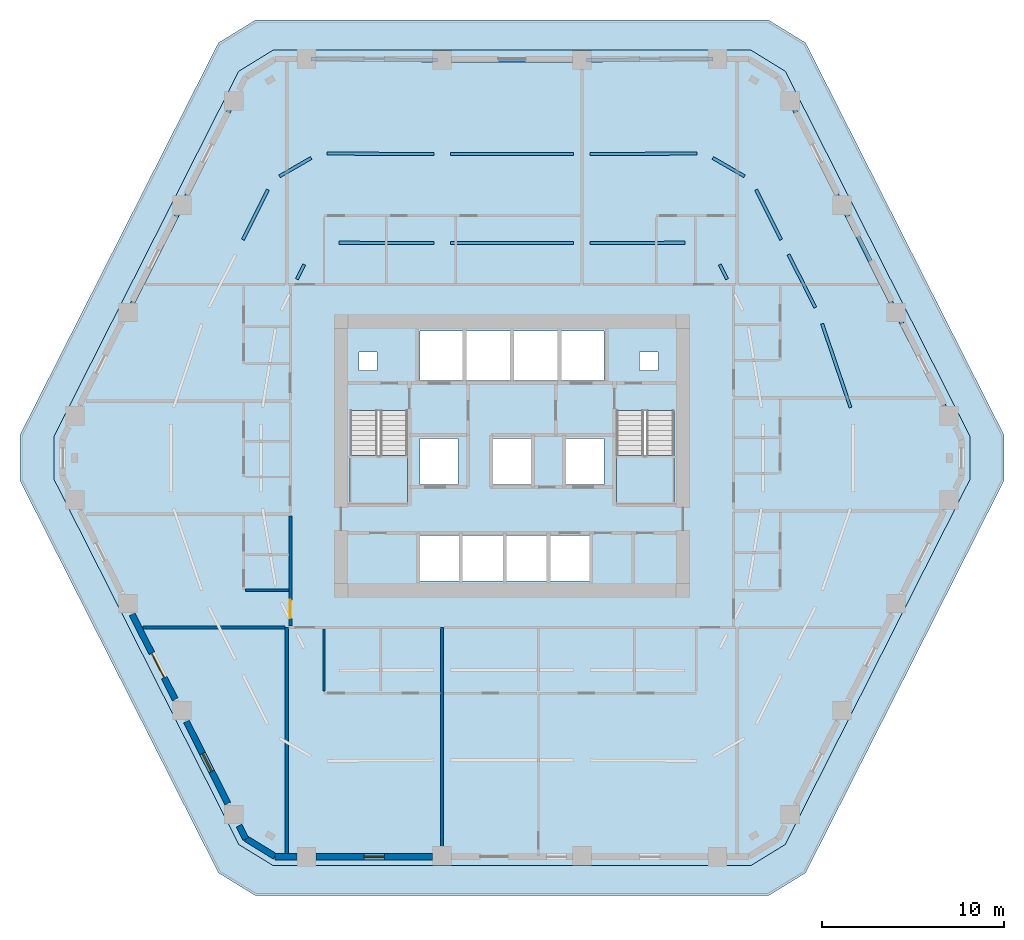
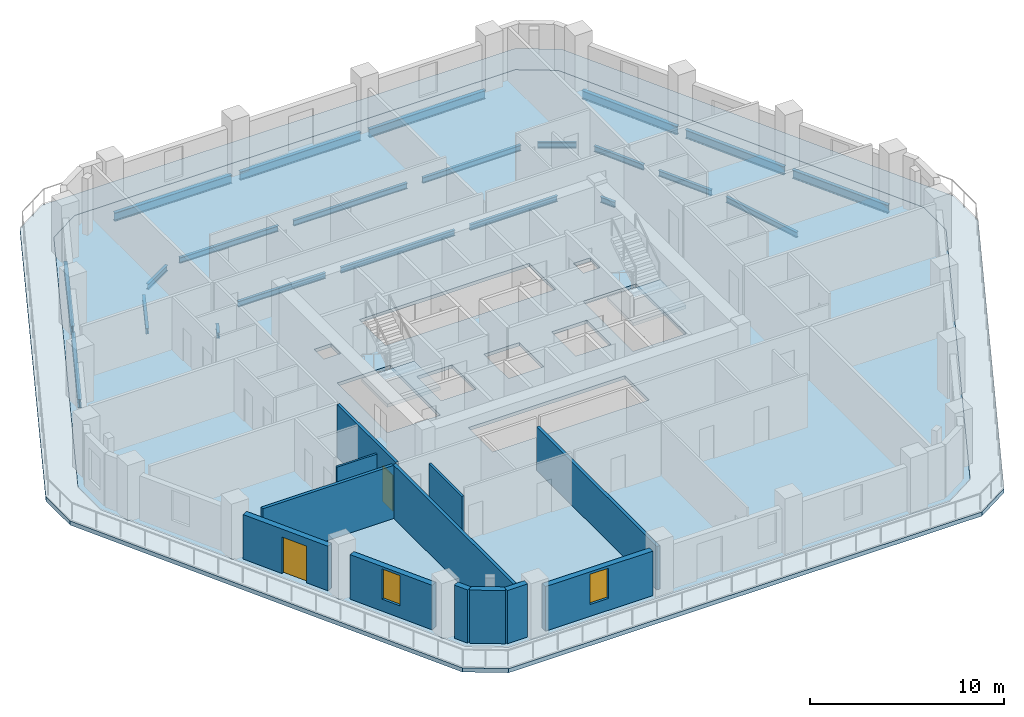
# One storey, part 2 of 10: 22 beams, 12 walls, 4 slabs, 2 doors, 2 windows, 4 openings, 2 elements without a shape of their own.
"""IFC4 building model written with IfcOpenShell, lengths in metres."""

from ifc_helpers import new_model, si_unit, direction, frame, frame_2d, origin, origin_2d, place, context, subcontext, project, spatial, polyline, rectangle, i_section, outline, extrude, material, layer, layer_set, material_profile, profile_set, type_object, element, fill, aggregate, save


model = new_model("IFC4")

# Units and contexts
model_context = context("Model", 3, precision=1e-05, world=origin(), true_north=direction((0.0, 1.0)))
body_context = subcontext(model_context, "Body", "Model", "MODEL_VIEW")
ifc_project = project(units=[si_unit("LENGTHUNIT", "METRE"), si_unit("AREAUNIT", "SQUARE_METRE"), si_unit("VOLUMEUNIT", "CUBIC_METRE"), si_unit("PLANEANGLEUNIT", "RADIAN"), si_unit("MASSUNIT", "GRAM", prefix="KILO")], contexts=[model_context])

# Site, building, storey
site_placement = place(None, origin())
site = spatial("IfcSite", under=ifc_project, at=site_placement, CompositionType="ELEMENT")
building_placement = place(site_placement, origin())
building = spatial("IfcBuilding", under=site, at=building_placement, Name="Cinnabar Lancet Tower", CompositionType="ELEMENT")
storey_placement = place(building_placement, frame((0.0, 0.0, 98.39990234375)))
storey = spatial("IfcBuildingStorey", under=building, at=storey_placement, Name="L25", CompositionType="ELEMENT", Elevation=98.39990234375)

# Beams
ifc_material_1 = material(Name="Structural steel S355", Category="steel")
ifc_material_profile_1 = material_profile(ifc_material_1, i_section(OverallWidth=0.17138671875, OverallDepth=0.35498046875, WebThickness=0.00732421875, FlangeThickness=0.011474609375, FilletRadius=0.01025390625, at=origin_2d()), Name="UKB 356x171x51")
ifc_profile_set_1 = profile_set([ifc_material_profile_1], Name="Structural steel S355")
beam_type_1 = type_object("IfcBeamType", Name="STR-BM-JST-356", PredefinedType="JOIST", material=ifc_profile_set_1)
beam_1_placement = place(storey_placement, frame((50.955078125, 28.55908203125, -0.386962890625), z_axis=(-0.320890801538, 0.947116198514, 0.0), x_axis=(-0.947116198514, -0.320890801538, 0.0)))
element("IfcBeam", 1, at=beam_1_placement, inside=storey, type_object=beam_type_1, Name="L25 Secondary Floor Joist 23", PredefinedType="JOIST", context=body_context, shape_type="SweptSolid", body=[
    extrude(i_section(OverallWidth=0.17138671875, OverallDepth=0.35498046875, WebThickness=0.00732421875, FlangeThickness=0.011474609375, FilletRadius=0.01025390625, at=origin_2d()), origin(), (0.0, 0.0, 1.0), 4.849365234375),
])
beam_2_placement = place(storey_placement, frame((49.02587890625, 34.037109375, -0.386962890625), z_axis=(-0.45059811801, 0.892726910116, 0.0), x_axis=(-0.892726910116, -0.45059811801, 0.0)))
element("IfcBeam", 2, at=beam_2_placement, inside=storey, type_object=beam_type_1, Name="L25 Secondary Floor Joist 25", PredefinedType="JOIST", context=body_context, shape_type="SweptSolid", body=[
    extrude(i_section(OverallWidth=0.17138671875, OverallDepth=0.35498046875, WebThickness=0.00732421875, FlangeThickness=0.011474609375, FilletRadius=0.01025390625, at=origin_2d()), origin(), (0.0, 0.0, 1.0), 3.25732421875),
])
beam_3_placement = place(storey_placement, frame((47.14892578125, 37.760986328125, -0.386962890625), z_axis=(-0.445583255103, 0.895240505547, 0.0), x_axis=(-0.895240505547, -0.445583255103, 0.0)))
element("IfcBeam", 3, at=beam_3_placement, inside=storey, type_object=beam_type_1, Name="L25 Secondary Floor Joist 27", PredefinedType="JOIST", context=body_context, shape_type="SweptSolid", body=[
    extrude(i_section(OverallWidth=0.17138671875, OverallDepth=0.35498046875, WebThickness=0.00732421875, FlangeThickness=0.011474609375, FilletRadius=0.01025390625, at=origin_2d()), origin(), (0.0, 0.0, 1.0), 3.05615234375),
])
beam_4_placement = place(storey_placement, frame((44.18603515625, 35.594970703125, -0.386962890625), z_axis=(-0.445893571745, 0.895085986191, 0.0), x_axis=(-0.895085986191, -0.445893571745, 0.0)))
element("IfcBeam", 4, at=beam_4_placement, inside=storey, type_object=beam_type_1, Name="L25 Secondary Floor Joist 28", PredefinedType="JOIST", context=body_context, shape_type="SweptSolid", body=[
    extrude(i_section(OverallWidth=0.17138671875, OverallDepth=0.35498046875, WebThickness=0.00732421875, FlangeThickness=0.011474609375, FilletRadius=0.01025390625, at=origin_2d()), origin(), (0.0, 0.0, 1.0), 0.88818359375),
])
beam_5_placement = place(storey_placement, frame((45.14404296875, 41.23193359375, -0.386962890625), z_axis=(-0.865087181672, 0.501621538718, 0.0), x_axis=(-0.501621538718, -0.865087181672, 0.0)))
element("IfcBeam", 5, at=beam_5_placement, inside=storey, type_object=beam_type_1, Name="L25 Secondary Floor Joist 29", PredefinedType="JOIST", context=body_context, shape_type="SweptSolid", body=[
    extrude(i_section(OverallWidth=0.17138671875, OverallDepth=0.35498046875, WebThickness=0.00732421875, FlangeThickness=0.011474609375, FilletRadius=0.01025390625, at=origin_2d()), origin(), (0.0, 0.0, 1.0), 2.005615234375),
])
beam_6_placement = place(storey_placement, frame((42.532958984375, 42.47998046875, -0.386962890625), z_axis=(-0.999986830159, -0.005132203126, 0.0), x_axis=(0.005132203126, -0.999986830159, 0.0)))
element("IfcBeam", 6, at=beam_6_placement, inside=storey, type_object=beam_type_1, Name="L25 Secondary Floor Joist 30", PredefinedType="JOIST", context=body_context, shape_type="SweptSolid", body=[
    extrude(i_section(OverallWidth=0.17138671875, OverallDepth=0.35498046875, WebThickness=0.00732421875, FlangeThickness=0.011474609375, FilletRadius=0.01025390625, at=origin_2d()), origin(), (0.0, 0.0, 1.0), 5.85107421875),
])
beam_7_placement = place(storey_placement, frame((41.888916015625, 37.590087890625, -0.386962890625), z_axis=(-0.999996302371, -0.002719419802, 0.0), x_axis=(0.002719419802, -0.999996302371, 0.0)))
element("IfcBeam", 7, at=beam_7_placement, inside=storey, type_object=beam_type_1, Name="L25 Secondary Floor Joist 31", PredefinedType="JOIST", context=body_context, shape_type="SweptSolid", body=[
    extrude(i_section(OverallWidth=0.17138671875, OverallDepth=0.35498046875, WebThickness=0.00732421875, FlangeThickness=0.011474609375, FilletRadius=0.01025390625, at=origin_2d()), origin(), (0.0, 0.0, 1.0), 5.20703125),
])
for number, where, z_axis, x_axis, name in (
    (8, (35.781982421875, 42.447998046875, -0.386962890625), (-1.0, 0.0, 0.0), (0.0, -1.0, 0.0), "L25 Secondary Floor Joist 32"),
    (9, (35.781982421875, 37.574951171875, -0.386962890625), (-1.0, 0.0, 0.0), (0.0, -1.0, 0.0), "L25 Secondary Floor Joist 33"),
):
    element("IfcBeam", number, at=place(storey_placement, frame(where, z_axis=z_axis, x_axis=x_axis)), inside=storey, type_object=beam_type_1, Name=name, PredefinedType="JOIST", context=body_context, shape_type="SweptSolid", body=[
        extrude(i_section(OverallWidth=0.17138671875, OverallDepth=0.35498046875, WebThickness=0.00732421875, FlangeThickness=0.011474609375, FilletRadius=0.01025390625, at=origin_2d()), origin(), (0.0, 0.0, 1.0), 6.763916015625),
    ])
beam_8_placement = place(storey_placement, frame((28.117919921875, 42.449951171875, -0.386962890625), z_axis=(-0.99998682906, 0.005132417274, 0.0), x_axis=(-0.005132417274, -0.99998682906, 0.0)))
element("IfcBeam", 10, at=beam_8_placement, inside=storey, type_object=beam_type_1, Name="L25 Secondary Floor Joist 34", PredefinedType="JOIST", context=body_context, shape_type="SweptSolid", body=[
    extrude(i_section(OverallWidth=0.17138671875, OverallDepth=0.35498046875, WebThickness=0.00732421875, FlangeThickness=0.011474609375, FilletRadius=0.01025390625, at=origin_2d()), origin(), (0.0, 0.0, 1.0), 5.850830078125),
])
beam_9_placement = place(storey_placement, frame((28.117919921875, 37.575927734375, -0.386962890625), z_axis=(-0.999996302371, 0.002719419802, 0.0), x_axis=(-0.002719419802, -0.999996302371, 0.0)))
element("IfcBeam", 11, at=beam_9_placement, inside=storey, type_object=beam_type_1, Name="L25 Secondary Floor Joist 35", PredefinedType="JOIST", context=body_context, shape_type="SweptSolid", body=[
    extrude(i_section(OverallWidth=0.17138671875, OverallDepth=0.35498046875, WebThickness=0.00732421875, FlangeThickness=0.011474609375, FilletRadius=0.01025390625, at=origin_2d()), origin(), (0.0, 0.0, 1.0), 5.20703125),
])
beam_10_placement = place(storey_placement, frame((21.39111328125, 42.238037109375, -0.386962890625), z_axis=(-0.865087181672, -0.501621538718, 0.0), x_axis=(0.501621538718, -0.865087181672, 0.0)))
element("IfcBeam", 12, at=beam_10_placement, inside=storey, type_object=beam_type_1, Name="L25 Secondary Floor Joist 36", PredefinedType="JOIST", context=body_context, shape_type="SweptSolid", body=[
    extrude(i_section(OverallWidth=0.17138671875, OverallDepth=0.35498046875, WebThickness=0.00732421875, FlangeThickness=0.011474609375, FilletRadius=0.01025390625, at=origin_2d()), origin(), (0.0, 0.0, 1.0), 2.005615234375),
])
beam_11_placement = place(storey_placement, frame((19.012939453125, 40.4970703125, -0.386962890625), z_axis=(-0.445647273768, -0.895208639024, 0.0), x_axis=(0.895208639024, -0.445647273768, 0.0)))
element("IfcBeam", 13, at=beam_11_placement, inside=storey, type_object=beam_type_1, Name="L25 Secondary Floor Joist 37", PredefinedType="JOIST", context=body_context, shape_type="SweptSolid", body=[
    extrude(i_section(OverallWidth=0.17138671875, OverallDepth=0.35498046875, WebThickness=0.00732421875, FlangeThickness=0.011474609375, FilletRadius=0.01025390625, at=origin_2d()), origin(), (0.0, 0.0, 1.0), 3.056396484375),
])
beam_12_placement = place(storey_placement, frame((21.010009765625, 36.389892578125, -0.386962890625), z_axis=(-0.445893571745, -0.895085986191, 0.0), x_axis=(0.895085986191, -0.445893571745, 0.0)))
element("IfcBeam", 14, at=beam_12_placement, inside=storey, type_object=beam_type_1, Name="L25 Secondary Floor Joist 38", PredefinedType="JOIST", context=body_context, shape_type="SweptSolid", body=[
    extrude(i_section(OverallWidth=0.17138671875, OverallDepth=0.35498046875, WebThickness=0.00732421875, FlangeThickness=0.011474609375, FilletRadius=0.01025390625, at=origin_2d()), origin(), (0.0, 0.0, 1.0), 0.88818359375),
])
ifc_material_2 = material(Name="Structural steel S355", Category="steel")
ifc_material_profile_2 = material_profile(ifc_material_2, i_section(OverallWidth=0.209228515625, OverallDepth=0.533203125, WebThickness=0.010009765625, FlangeThickness=0.015625, FilletRadius=0.0126953125, at=origin_2d()), Name="UKB 533x210x92")
ifc_profile_set_2 = profile_set([ifc_material_profile_2], Name="Structural steel S355")
beam_type_2 = type_object("IfcBeamType", Name="STR-BM-SPN-533", PredefinedType="SPANDREL", material=ifc_profile_set_2)
beam_13_placement = place(storey_placement, frame((56.242919921875, 28.3310546875, -0.476806640625), z_axis=(-0.456126618405, 0.889914888055, 0.0), x_axis=(-0.889914888055, -0.456126618405, 0.0)))
element("IfcBeam", 15, at=beam_13_placement, inside=storey, type_object=beam_type_2, Name="L25 Perimeter Spandrel 9", PredefinedType="SPANDREL", context=body_context, shape_type="SweptSolid", body=[
    extrude(i_section(OverallWidth=0.209228515625, OverallDepth=0.533203125, WebThickness=0.010009765625, FlangeThickness=0.015625, FilletRadius=0.0126953125, at=origin_2d()), origin(), (0.0, 0.0, 1.0), 5.868896484375),
])
beam_14_placement = place(storey_placement, frame((53.339111328125, 33.9990234375, -0.476806640625), z_axis=(-0.450570325924, 0.892740937449, 0.0), x_axis=(-0.892740937449, -0.450570325924, 0.0)))
element("IfcBeam", 16, at=beam_14_placement, inside=storey, type_object=beam_type_2, Name="L25 Perimeter Spandrel 10", PredefinedType="SPANDREL", context=body_context, shape_type="SweptSolid", body=[
    extrude(i_section(OverallWidth=0.209228515625, OverallDepth=0.533203125, WebThickness=0.010009765625, FlangeThickness=0.015625, FilletRadius=0.0126953125, at=origin_2d()), origin(), (0.0, 0.0, 1.0), 6.07470703125),
])
beam_15_placement = place(storey_placement, frame((50.3779296875, 39.868896484375, -0.476806640625), z_axis=(-0.445501068635, 0.89528140707, 0.0), x_axis=(-0.89528140707, -0.445501068635, 0.0)))
element("IfcBeam", 17, at=beam_15_placement, inside=storey, type_object=beam_type_2, Name="L25 Perimeter Spandrel 11", PredefinedType="SPANDREL", context=body_context, shape_type="SweptSolid", body=[
    extrude(i_section(OverallWidth=0.209228515625, OverallDepth=0.533203125, WebThickness=0.010009765625, FlangeThickness=0.015625, FilletRadius=0.0126953125, at=origin_2d()), origin(), (0.0, 0.0, 1.0), 5.87646484375),
])
beam_16_placement = place(storey_placement, frame((43.4189453125, 47.658935546875, -0.476806640625), z_axis=(-0.999975228682, -0.007038609338, 0.0), x_axis=(0.007038609338, -0.999975228682, 0.0)))
element("IfcBeam", 18, at=beam_16_placement, inside=storey, type_object=beam_type_2, Name="L25 Perimeter Spandrel 13", PredefinedType="SPANDREL", context=body_context, shape_type="SweptSolid", body=[
    extrude(i_section(OverallWidth=0.209228515625, OverallDepth=0.533203125, WebThickness=0.010009765625, FlangeThickness=0.015625, FilletRadius=0.0126953125, at=origin_2d()), origin(), (0.0, 0.0, 1.0), 6.937255859375),
])
beam_17_placement = place(storey_placement, frame((35.98193359375, 47.60791015625, -0.476806640625), z_axis=(-1.0, 0.0, 0.0), x_axis=(0.0, -1.0, 0.0)))
element("IfcBeam", 19, at=beam_17_placement, inside=storey, type_object=beam_type_2, Name="L25 Perimeter Spandrel 14", PredefinedType="SPANDREL", context=body_context, shape_type="SweptSolid", body=[
    extrude(i_section(OverallWidth=0.209228515625, OverallDepth=0.533203125, WebThickness=0.010009765625, FlangeThickness=0.015625, FilletRadius=0.0126953125, at=origin_2d()), origin(), (0.0, 0.0, 1.0), 7.163818359375),
])
beam_18_placement = place(storey_placement, frame((28.318115234375, 47.610107421875, -0.476806640625), z_axis=(-0.999975228682, 0.007038609338, 0.0), x_axis=(-0.007038609338, -0.999975228682, 0.0)))
element("IfcBeam", 20, at=beam_18_placement, inside=storey, type_object=beam_type_2, Name="L25 Perimeter Spandrel 15", PredefinedType="SPANDREL", context=body_context, shape_type="SweptSolid", body=[
    extrude(i_section(OverallWidth=0.209228515625, OverallDepth=0.533203125, WebThickness=0.010009765625, FlangeThickness=0.015625, FilletRadius=0.0126953125, at=origin_2d()), origin(), (0.0, 0.0, 1.0), 6.937255859375),
])
beam_19_placement = place(storey_placement, frame((17.0400390625, 45.1298828125, -0.476806640625), z_axis=(-0.445501068635, -0.89528140707, 0.0), x_axis=(0.89528140707, -0.445501068635, 0.0)))
element("IfcBeam", 21, at=beam_19_placement, inside=storey, type_object=beam_type_2, Name="L25 Perimeter Spandrel 17", PredefinedType="SPANDREL", context=body_context, shape_type="SweptSolid", body=[
    extrude(i_section(OverallWidth=0.209228515625, OverallDepth=0.533203125, WebThickness=0.010009765625, FlangeThickness=0.015625, FilletRadius=0.0126953125, at=origin_2d()), origin(), (0.0, 0.0, 1.0), 5.87646484375),
])
beam_20_placement = place(storey_placement, frame((14.197998046875, 39.422119140625, -0.476806640625), z_axis=(-0.450570325924, -0.892740937449, 0.0), x_axis=(0.892740937449, -0.450570325924, 0.0)))
element("IfcBeam", 22, at=beam_20_placement, inside=storey, type_object=beam_type_2, Name="L25 Perimeter Spandrel 18", PredefinedType="SPANDREL", context=body_context, shape_type="SweptSolid", body=[
    extrude(i_section(OverallWidth=0.209228515625, OverallDepth=0.533203125, WebThickness=0.010009765625, FlangeThickness=0.015625, FilletRadius=0.0126953125, at=origin_2d()), origin(), (0.0, 0.0, 1.0), 6.07470703125),
])

# Stair, slab
ifc_material_3 = material(Name="Concrete C40/50", Category="concrete")
stair_type = type_object("IfcStairType", Name="ST-CORE", PredefinedType="HALF_TURN_STAIR", material=ifc_material_3)
stair_1_placement = place(storey_placement, origin())
stair_1 = element("IfcStair", 23, at=stair_1_placement, inside=storey, type_object=stair_type, Name="L25 ST-1", PredefinedType="HALF_TURN_STAIR")
ifc_material_4 = material(Name="Concrete C40/50", Category="concrete")
ifc_layer_1 = layer(ifc_material_4, 0.199951171875)
ifc_layer_set_1 = layer_set([ifc_layer_1], Name="Concrete C40/50")
slab_type_1 = type_object("IfcSlabType", Name="LANDING-CORE", PredefinedType="LANDING", material=ifc_layer_set_1)
slab_1_placement = place(storey_placement, frame((0.0, 0.0, 1.5751953125)))
slab_1 = element("IfcSlab", 24, at=slab_1_placement, type_object=slab_type_1, Name="ST-1 landing 1", PredefinedType="LANDING", context=body_context, shape_type="SweptSolid", body=[
    extrude(outline(polyline([(23.52490234375, 25.925048828125), (23.52490234375, 23.25), (26.675048828125, 23.25), (26.675048828125, 25.925048828125), (23.52490234375, 25.925048828125)])), origin(), (0.0, 0.0, 1.0), 0.199951171875),
])
aggregate(stair_1, [slab_1])

stair_2_placement = place(storey_placement, origin())
stair_2 = element("IfcStair", 25, at=stair_2_placement, inside=storey, type_object=stair_type, Name="L25 ST-2", PredefinedType="HALF_TURN_STAIR")
slab_2_placement = place(storey_placement, frame((0.0, 0.0, 1.5751953125)))
slab_2 = element("IfcSlab", 26, at=slab_2_placement, type_object=slab_type_1, Name="ST-2 landing 1", PredefinedType="LANDING", context=body_context, shape_type="SweptSolid", body=[
    extrude(outline(polyline([(38.125, 25.925048828125), (38.125, 23.25), (41.27490234375, 23.25), (41.27490234375, 25.925048828125), (38.125, 25.925048828125)])), origin(), (0.0, 0.0, 1.0), 0.199951171875),
])
aggregate(stair_2, [slab_2])

# Slabs
ifc_material_5 = material(Name="Concrete C40/50", Category="concrete")
ifc_layer_2 = layer(ifc_material_5, 0.2099609375)
ifc_layer_set_2 = layer_set([ifc_layer_2], Name="Concrete C40/50")
slab_type_2 = type_object("IfcSlabType", Name="STR-SLB-FLR-210", PredefinedType="FLOOR", material=ifc_layer_set_2)
slab_3_placement = place(storey_placement, frame((0.0, 0.0, -0.2099609375)))
element("IfcSlab", 27, at=slab_3_placement, inside=storey, type_object=slab_type_2, Name="L25 Structural Floor Slab", PredefinedType="FLOOR", context=body_context, shape_type="SweptSolid", body=[
    extrude(outline(polyline([(17.4208984375, 4.610107421875), (19.30810546875, 3.449951171875), (45.491943359375, 3.449951171875), (47.37890625, 4.610107421875), (57.512939453125, 24.639892578125), (57.512939453125, 26.9599609375), (47.37890625, 46.989990234375), (45.491943359375, 48.14990234375), (19.30810546875, 48.14990234375), (17.4208984375, 46.989990234375), (7.287109375, 26.9599609375), (7.287109375, 24.639892578125), (17.4208984375, 4.610107421875)]), holes=[polyline([(23.52490234375, 23.25), (26.675048828125, 23.25), (26.675048828125, 28.3994140625), (23.52490234375, 28.3994140625), (23.52490234375, 23.25)]), polyline([(38.125, 23.25), (41.27490234375, 23.25), (41.27490234375, 28.3994140625), (38.125, 28.3994140625), (38.125, 23.25)]), polyline([(27.35009765625, 30.050048828125), (37.449951171875, 30.050048828125), (37.449951171875, 32.75), (27.35009765625, 32.75), (27.35009765625, 30.050048828125)]), polyline([(27.35009765625, 19.050048828125), (36.64990234375, 19.050048828125), (36.64990234375, 21.550048828125), (27.35009765625, 21.550048828125), (27.35009765625, 19.050048828125)]), polyline([(27.35009765625, 24.35009765625), (29.449951171875, 24.35009765625), (29.449951171875, 26.85009765625), (27.35009765625, 26.85009765625), (27.35009765625, 24.35009765625)]), polyline([(35.35009765625, 24.35009765625), (37.449951171875, 24.35009765625), (37.449951171875, 26.85009765625), (35.35009765625, 26.85009765625), (35.35009765625, 24.35009765625)]), polyline([(31.35009765625, 24.35009765625), (33.449951171875, 24.35009765625), (33.449951171875, 26.85009765625), (31.35009765625, 26.85009765625), (31.35009765625, 24.35009765625)]), polyline([(24.0, 30.60009765625), (25.0, 30.60009765625), (25.0, 31.60009765625), (24.0, 31.60009765625), (24.0, 30.60009765625)]), polyline([(39.39990234375, 30.60009765625), (40.39990234375, 30.60009765625), (40.39990234375, 31.60009765625), (39.39990234375, 31.60009765625), (39.39990234375, 30.60009765625)])]), origin(), (0.0, 0.0, 1.0), 0.2099609375),
])
ifc_material_6 = material(Name="Concrete C45/55", Category="concrete")
ifc_layer_3 = layer(ifc_material_6, 0.260009765625)
ifc_layer_set_3 = layer_set([ifc_layer_3], Name="Concrete C45/55")
slab_type_3 = type_object("IfcSlabType", Name="STR-SLB-TER-260", PredefinedType="ROOF", material=ifc_layer_set_3)
slab_4_placement = place(storey_placement, frame((0.0, 0.0, -0.260009765625)))
element("IfcSlab", 28, at=slab_4_placement, inside=storey, type_object=slab_type_3, Name="L25 Planted Setback Roof Terrace Slab", PredefinedType="ROOF", context=body_context, shape_type="SweptSolid", body=[
    extrude(outline(polyline([(16.31201171875, 3.049072265625), (18.343994140625, 1.800048828125), (46.4560546875, 1.800048828125), (48.488037109375, 3.049072265625), (59.367919921875, 24.551025390625), (59.367919921875, 27.049072265625), (48.488037109375, 48.551025390625), (46.4560546875, 49.800048828125), (18.343994140625, 49.800048828125), (16.31201171875, 48.551025390625), (5.431884765625, 27.049072265625), (5.431884765625, 24.551025390625), (16.31201171875, 3.049072265625)]), holes=[polyline([(17.4208984375, 4.610107421875), (19.30810546875, 3.449951171875), (45.491943359375, 3.449951171875), (47.37890625, 4.610107421875), (57.512939453125, 24.639892578125), (57.512939453125, 26.9599609375), (47.37890625, 46.989990234375), (45.491943359375, 48.14990234375), (19.30810546875, 48.14990234375), (17.4208984375, 46.989990234375), (7.287109375, 26.9599609375), (7.287109375, 24.639892578125), (17.4208984375, 4.610107421875)])]), origin(), (0.0, 0.0, 1.0), 0.260009765625),
])

# Wall, opening, door
ifc_material_7 = material(Name="Acoustic twin-stud gypsum partition", Category="gypsum")
ifc_layer_4 = layer(ifc_material_7, 0.159912109375)
ifc_layer_set_4 = layer_set([ifc_layer_4], Name="Acoustic twin-stud gypsum partition")
wall_type_1 = type_object("IfcWallType", Name="ARC-WL-CORR-160", PredefinedType="PARTITIONING", material=ifc_layer_set_4)
wall_1_placement = place(storey_placement, frame((20.25, 16.594970703125, 0.0), z_axis=(0.0, 0.0, 1.0), x_axis=(0.0, 1.0, 0.0)))
wall_1 = element("IfcWall", 29, at=wall_1_placement, inside=storey, type_object=wall_type_1, Name="UW-L25-W01-COR", PredefinedType="PARTITIONING", context=body_context, shape_type="SweptSolid", body=[
    extrude(rectangle(XDim=6.013916015625, YDim=0.159912109375, at=frame_2d((3.0068359375, 0.0))), origin(), (0.0, 0.0, 1.0), 3.340087890625),
])
opening_1_placement = place(wall_1_placement, frame((0.39990234375, 0.0, 0.0)))
opening_1 = element("IfcOpeningElement", 30, at=opening_1_placement, cuts=wall_1, Name="Opening UD-01", PredefinedType="OPENING", context=body_context, shape_type="SweptSolid", body=[
    extrude(rectangle(XDim=1.02001953125, YDim=2.25, at=frame_2d((0.510009765625, 1.125))), frame((0.0, 0.08984375, 0.0), z_axis=(0.0, -1.0, 0.0), x_axis=(1.0, 0.0, 0.0)), (0.0, 0.0, 1.0), 0.179931640625),
])
ifc_material_8 = material(Name="Solid timber fire-rated apartment entrance door", Category="wood")
door_type_1 = type_object("IfcDoorType", Name="ARC-DR-UNIT", OperationType="NOTDEFINED", PredefinedType="DOOR", material=ifc_material_8)
door_1_placement = place(opening_1_placement, origin())
door_1 = element("IfcDoor", 31, at=door_1_placement, inside=storey, type_object=door_type_1, Name="DR-L25-W01-ENT", OperationType="SINGLE_SWING_RIGHT", OverallHeight=2.25, OverallWidth=1.02001953125, PredefinedType="DOOR", context=body_context, shape_type="SweptSolid", body=[
    extrude(rectangle(XDim=1.02001953125, YDim=2.25, at=frame_2d((0.510009765625, 1.125))), frame((0.0, 0.02490234375, 0.0), z_axis=(0.0, -1.0, 0.0), x_axis=(1.0, 0.0, 0.0)), (0.0, 0.0, 1.0), 0.050048828125),
])
fill(opening_1, door_1)

# Walls
ifc_material_9 = material(Name="Fire-rated twin-frame acoustic drywall", Category="gypsum")
ifc_layer_5 = layer(ifc_material_9, 0.179931640625)
ifc_layer_set_5 = layer_set([ifc_layer_5], Name="Fire-rated twin-frame acoustic drywall")
wall_type_2 = type_object("IfcWallType", Name="ARC-WL-PARTY-180", PredefinedType="PARTITIONING", material=ifc_layer_set_5)
wall_2_placement = place(storey_placement, frame((20.050048828125, 4.10498046875, 0.0), z_axis=(0.0, 0.0, 1.0), x_axis=(0.0, 1.0, 0.0)))
element("IfcWall", 32, at=wall_2_placement, inside=storey, type_object=wall_type_2, Name="PW-L25-SPTY-200", PredefinedType="PARTITIONING", context=body_context, shape_type="SweptSolid", body=[
    extrude(rectangle(XDim=12.39501953125, YDim=0.179931640625, at=frame_2d((6.197509765625, 0.0))), origin(), (0.0, 0.0, 1.0), 3.340087890625),
])
wall_3_placement = place(storey_placement, frame((28.568115234375, 4.10498046875, 0.0), z_axis=(0.0, 0.0, 1.0), x_axis=(0.0, 1.0, 0.0)))
element("IfcWall", 33, at=wall_3_placement, inside=storey, type_object=wall_type_2, Name="PW-L25-SPTY-286", PredefinedType="PARTITIONING", context=body_context, shape_type="SweptSolid", body=[
    extrude(rectangle(XDim=12.39501953125, YDim=0.179931640625, at=frame_2d((6.197509765625, 0.0))), origin(), (0.0, 0.0, 1.0), 2.72216796875),
])
wall_4_placement = place(storey_placement, frame((12.18505859375, 16.5, 0.0), z_axis=(0.0, 0.0, 1.0), x_axis=(1.0, 0.0, 0.0)))
element("IfcWall", 34, at=wall_4_placement, inside=storey, type_object=wall_type_2, Name="PW-L25-WSB", PredefinedType="PARTITIONING", context=body_context, shape_type="SweptSolid", body=[
    extrude(rectangle(XDim=7.77001953125, YDim=0.179931640625, at=frame_2d((3.885009765625, 0.0))), origin(), (0.0, 0.0, 1.0), 3.340087890625),
])
ifc_material_10 = material(Name="Gypsum plasterboard stud partition", Category="gypsum")
ifc_layer_6 = layer(ifc_material_10, 0.125)
ifc_layer_set_6 = layer_set([ifc_layer_6], Name="Gypsum plasterboard stud partition")
wall_type_3 = type_object("IfcWallType", Name="ARC-WL-UNIT-125", PredefinedType="PARTITIONING", material=ifc_layer_set_6)
wall_5_placement = place(storey_placement, frame((22.10009765625, 13.010009765625, 0.0), z_axis=(0.0, 0.0, 1.0), x_axis=(0.0, 1.0, 0.0)))
element("IfcWall", 35, at=wall_5_placement, inside=storey, type_object=wall_type_3, Name="UW-L25-S01-FOYE", PredefinedType="PARTITIONING", context=body_context, shape_type="SweptSolid", body=[
    extrude(rectangle(XDim=3.405029296875, YDim=0.125, at=frame_2d((1.70263671875, 0.0))), origin(), (0.0, 0.0, 1.0), 2.72216796875),
])
wall_6_placement = place(storey_placement, frame((17.784912109375, 18.550048828125, 0.0), z_axis=(0.0, 0.0, 1.0), x_axis=(1.0, 0.0, 0.0)))
element("IfcWall", 36, at=wall_6_placement, inside=storey, type_object=wall_type_3, Name="UW-L25-W01-FOYN", PredefinedType="PARTITIONING", context=body_context, shape_type="SweptSolid", body=[
    extrude(rectangle(XDim=2.380126953125, YDim=0.125, at=frame_2d((1.18994140625, 0.0))), origin(), (0.0, 0.0, 1.0), 2.72216796875),
])
ifc_material_11 = material(Name="Cinnabar red clay brick", Category="masonry")
ifc_layer_7 = layer(ifc_material_11, 0.340087890625)
ifc_layer_set_7 = layer_set([ifc_layer_7], Name="Cinnabar red clay brick")
wall_type_4 = type_object("IfcWallType", Name="ENV-WL-BRK-RED-340", PredefinedType="STANDARD", material=ifc_layer_set_7)
wall_7_placement = place(storey_placement, frame((17.8291015625, 4.923095703125, 0.0), z_axis=(0.0, 0.0, 1.0), x_axis=(0.851798915137, -0.523868884523, 0.0)))
element("IfcWall", 37, at=wall_7_placement, inside=storey, type_object=wall_type_4, Name="L25 Chamfered Corner Brick Pier 1.1", PredefinedType="STANDARD", context=body_context, shape_type="SweptSolid", body=[
    extrude(rectangle(XDim=1.847900390625, YDim=0.340087890625, at=frame_2d((0.923828125, 0.0))), origin(), (0.0, 0.0, 1.0), 3.340087890625),
])
wall_8_placement = place(storey_placement, frame((19.39794921875, 3.929931640625, 0.0), z_axis=(0.0, 0.0, 1.0), x_axis=(1.0, 0.0, 0.0)))
element("IfcWall", 38, at=wall_8_placement, inside=storey, type_object=wall_type_4, Name="L25 Face 1 Masonry Bay Wall 1", PredefinedType="STANDARD", context=body_context, shape_type="SweptSolid", body=[
    extrude(rectangle(XDim=1.2041015625, YDim=0.340087890625, at=frame_2d((0.60205078125, 0.0))), origin(), (0.0, 0.0, 1.0), 3.340087890625),
])

# Wall, opening, window
wall_9_placement = place(storey_placement, frame((21.659912109375, 3.929931640625, 0.0), z_axis=(0.0, 0.0, 1.0), x_axis=(1.0, 0.0, 0.0)))
wall_9 = element("IfcWall", 39, at=wall_9_placement, inside=storey, type_object=wall_type_4, Name="L25 Face 1 Masonry Bay Wall 2", PredefinedType="STANDARD", context=body_context, shape_type="SweptSolid", body=[
    extrude(rectangle(XDim=6.379150390625, YDim=0.340087890625, at=frame_2d((3.189453125, 0.0))), origin(), (0.0, 0.0, 1.0), 2.797119140625),
])
opening_2_placement = place(wall_9_placement, frame((2.639892578125, 0.0, 0.75)))
opening_2 = element("IfcOpeningElement", 40, at=opening_2_placement, cuts=wall_9, Name="Opening WN-04", PredefinedType="OPENING", context=body_context, shape_type="SweptSolid", body=[
    extrude(rectangle(XDim=1.10009765625, YDim=1.89697265625, at=frame_2d((0.550048828125, 0.948486328125))), frame((0.0, 0.179931640625, 0.0), z_axis=(0.0, -1.0, 0.0), x_axis=(1.0, 0.0, 0.0)), (0.0, 0.0, 1.0), 0.360107421875),
])
ifc_material_12 = material(Name="Thermally broken bronze-anodized aluminium tall lancet window", Category="aluminium")
window_type = type_object("IfcWindowType", Name="ENV-WN-LANCET-1100", PartitioningType="SINGLE_PANEL", PredefinedType="WINDOW", material=ifc_material_12)
window_1_placement = place(opening_2_placement, origin())
window_1 = element("IfcWindow", 41, at=window_1_placement, inside=storey, type_object=window_type, Name="L25 Face 1 Gothic Lancet Window 2", OverallHeight=1.89697265625, OverallWidth=1.10009765625, PartitioningType="SINGLE_PANEL", PredefinedType="WINDOW", context=body_context, shape_type="SweptSolid", body=[
    extrude(rectangle(XDim=1.10009765625, YDim=1.89697265625, at=frame_2d((0.550048828125, 0.948486328125))), frame((0.0, 0.030029296875, 0.0), z_axis=(0.0, -1.0, 0.0), x_axis=(1.0, 0.0, 0.0)), (0.0, 0.0, 1.0), 0.06005859375),
])
fill(opening_2, window_1)

# Wall, opening, door
wall_10_placement = place(storey_placement, frame((11.580078125, 17.218017578125, 0.0), z_axis=(0.0, 0.0, 1.0), x_axis=(0.451567731634, -0.892236842855, 0.0)))
wall_10 = element("IfcWall", 42, at=wall_10_placement, inside=storey, type_object=wall_type_4, Name="L25 Face 6 Masonry Bay Wall 3", PredefinedType="STANDARD", context=body_context, shape_type="SweptSolid", body=[
    extrude(rectangle(XDim=5.219482421875, YDim=0.340087890625, at=frame_2d((2.60986328125, 0.0))), origin(), (0.0, 0.0, 1.0), 2.797119140625),
])
opening_3_placement = place(wall_10_placement, frame((2.386962890625, 0.0, 0.0)))
opening_3 = element("IfcOpeningElement", 43, at=opening_3_placement, cuts=wall_10, Name="Opening TD-02", PredefinedType="OPENING", context=body_context, shape_type="SweptSolid", body=[
    extrude(rectangle(XDim=1.5, YDim=2.300048828125, at=frame_2d((0.75, 1.14990234375))), frame((0.0, 0.179931640625, 0.0), z_axis=(0.0, -1.0, 0.0), x_axis=(1.0, 0.0, 0.0)), (0.0, 0.0, 1.0), 0.360107421875),
])
ifc_material_13 = material(Name="Thermally broken low-E glazed sky-terrace double door", Category="wood")
door_type_2 = type_object("IfcDoorType", Name="ARC-DR-STER", OperationType="NOTDEFINED", PredefinedType="DOOR", material=ifc_material_13)
door_2_placement = place(opening_3_placement, origin())
door_2 = element("IfcDoor", 44, at=door_2_placement, inside=storey, type_object=door_type_2, Name="L25 Face 6 Glazed Terrace Door", OperationType="SINGLE_SWING_LEFT", OverallHeight=2.300048828125, OverallWidth=1.5, PredefinedType="DOOR", context=body_context, shape_type="SweptSolid", body=[
    extrude(rectangle(XDim=1.5, YDim=2.300048828125, at=frame_2d((0.75, 1.14990234375))), frame((0.0, 0.02490234375, 0.0), z_axis=(0.0, -1.0, 0.0), x_axis=(1.0, 0.0, 0.0)), (0.0, 0.0, 1.0), 0.050048828125),
])
fill(opening_3, door_2)

# Wall, opening, window
wall_11_placement = place(storey_placement, frame((14.549072265625, 11.34912109375, 0.0), z_axis=(0.0, 0.0, 1.0), x_axis=(0.451548465867, -0.892246593142, 0.0)))
wall_11 = element("IfcWall", 45, at=wall_11_placement, inside=storey, type_object=wall_type_4, Name="L25 Face 6 Masonry Bay Wall 4", PredefinedType="STANDARD", context=body_context, shape_type="SweptSolid", body=[
    extrude(rectangle(XDim=5.040283203125, YDim=0.340087890625, at=frame_2d((2.52001953125, 0.0))), origin(), (0.0, 0.0, 1.0), 2.797119140625),
])
opening_4_placement = place(wall_11_placement, frame((1.969970703125, 0.0, 0.75)))
opening_4 = element("IfcOpeningElement", 46, at=opening_4_placement, cuts=wall_11, Name="Opening WN-04", PredefinedType="OPENING", context=body_context, shape_type="SweptSolid", body=[
    extrude(rectangle(XDim=1.10009765625, YDim=1.89697265625, at=frame_2d((0.550048828125, 0.948486328125))), frame((0.0, 0.179931640625, 0.0), z_axis=(0.0, -1.0, 0.0), x_axis=(1.0, 0.0, 0.0)), (0.0, 0.0, 1.0), 0.360107421875),
])
window_2_placement = place(opening_4_placement, origin())
window_2 = element("IfcWindow", 47, at=window_2_placement, inside=storey, type_object=window_type, Name="L25 Face 6 Gothic Lancet Window 4", OverallHeight=1.89697265625, OverallWidth=1.10009765625, PartitioningType="SINGLE_PANEL", PredefinedType="WINDOW", context=body_context, shape_type="SweptSolid", body=[
    extrude(rectangle(XDim=1.10009765625, YDim=1.89697265625, at=frame_2d((0.550048828125, 0.948486328125))), frame((0.0, 0.030029296875, 0.0), z_axis=(0.0, -1.0, 0.0), x_axis=(1.0, 0.0, 0.0)), (0.0, 0.0, 1.0), 0.06005859375),
])
fill(opening_4, window_2)

# Wall
wall_12_placement = place(storey_placement, frame((17.43798828125, 5.639892578125, 0.0), z_axis=(0.0, 0.0, 1.0), x_axis=(0.45172514337, -0.892157158155, 0.0)))
element("IfcWall", 48, at=wall_12_placement, inside=storey, type_object=wall_type_4, Name="L25 Face 6 Masonry Bay Wall 5", PredefinedType="STANDARD", context=body_context, shape_type="SweptSolid", body=[
    extrude(rectangle(XDim=0.821533203125, YDim=0.340087890625, at=frame_2d((0.41064453125, 0.0))), origin(), (0.0, 0.0, 1.0), 3.340087890625),
])

save(model, "model.ifc")
